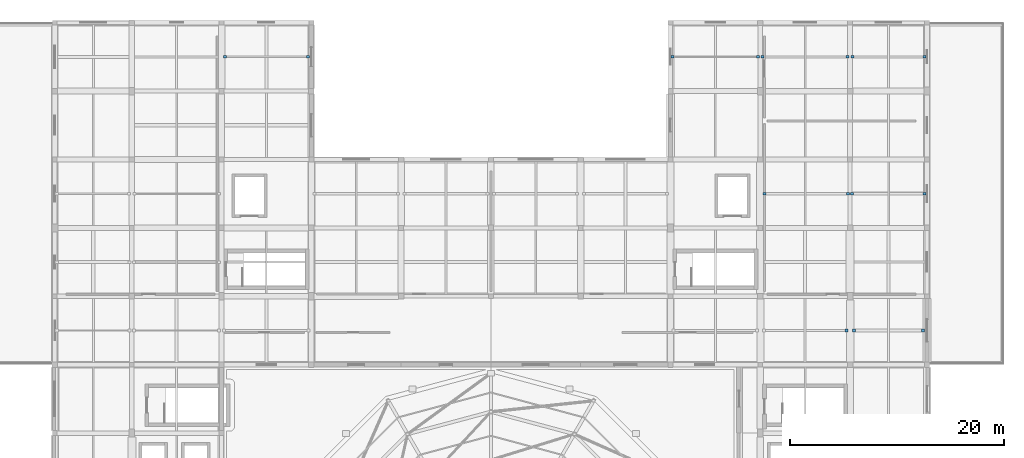
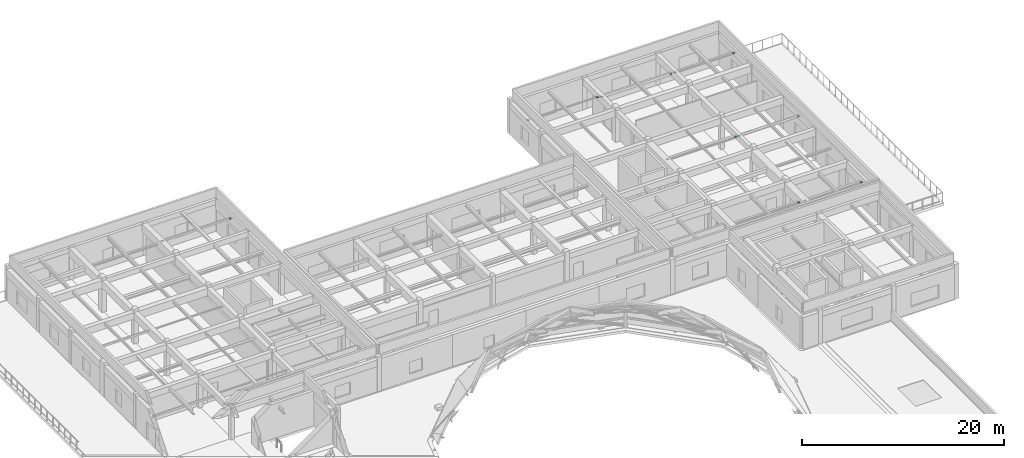
# One storey, part 17 of 18: 15 discrete accessories.
"""IFC4 building model written with IfcOpenShell, lengths in metres."""

from ifc_helpers import new_model, si_unit, direction, frame, origin, origin_2d, place, context, subcontext, project, spatial, rectangle, extrude, material, type_object, element, save


model = new_model("IFC4")

# Units and contexts
model_context = context("Model", 3, precision=1e-05, world=origin(), true_north=direction((0.0, 1.0)))
body_context = subcontext(model_context, "Body", "Model", "MODEL_VIEW")
ifc_project = project(units=[si_unit("LENGTHUNIT", "METRE"), si_unit("AREAUNIT", "SQUARE_METRE"), si_unit("VOLUMEUNIT", "CUBIC_METRE"), si_unit("PLANEANGLEUNIT", "RADIAN"), si_unit("MASSUNIT", "GRAM", prefix="KILO")], contexts=[model_context])

# Site, building, storey
site_placement = place(None, origin())
site = spatial("IfcSite", under=ifc_project, at=site_placement, CompositionType="ELEMENT")
building_placement = place(site_placement, origin())
building = spatial("IfcBuilding", under=site, at=building_placement, Name="Korsvaeld Concert Hall", CompositionType="ELEMENT")
storey_placement = place(building_placement, frame((0.0, 0.0, 17.39990234375)))
storey = spatial("IfcBuildingStorey", under=building, at=storey_placement, Name="L04", CompositionType="ELEMENT", Elevation=17.39990234375)

# Discrete accessories
ifc_material = material(Name="Steel S355J2", Category="steel")
discrete_accessory_type = type_object("IfcDiscreteAccessoryType", Name="ACC-GUSSET-S355", PredefinedType="BRACKET", material=ifc_material)
for number, where, z_axis, x_axis, name in (
    (1, (117.25, 86.39990234375, 3.277587890625), (0.0, 0.0, 1.0), (1.0, 0.0, 0.0), "Brace and strut S355J2 gusset end-plate 010"),
    (2, (117.949951171875, 86.39990234375, 3.217529296875), (0.0, 0.0, 1.0), (1.0, 0.0, 0.0), "Brace and strut S355J2 gusset end-plate 011"),
    (3, (124.425048828125, 86.39990234375, 3.217529296875), (0.0, 0.0, 1.0), (1.0, 0.0, 0.0), "Brace and strut S355J2 gusset end-plate 012"),
    (4, (109.574951171875, 99.199951171875, 3.417724609375), (0.0, 0.0, 1.0), (1.0, 0.0, 0.0), "Brace and strut S355J2 gusset end-plate 029"),
    (5, (117.39990234375, 99.199951171875, 3.417724609375), (0.0, 0.0, 1.0), (1.0, 0.0, 0.0), "Brace and strut S355J2 gusset end-plate 030"),
    (6, (117.800048828125, 99.199951171875, 3.381103515625), (0.0, 0.0, 1.0), (1.0, 0.0, 0.0), "Brace and strut S355J2 gusset end-plate 031"),
    (7, (124.574951171875, 99.199951171875, 3.381103515625), (0.0, 0.0, 1.0), (1.0, 0.0, 0.0), "Brace and strut S355J2 gusset end-plate 032"),
    (8, (59.10009765625, 112.0, 3.417724609375), (0.0, 0.0, 1.0), (1.0, 0.0, 0.0), "Brace and strut S355J2 gusset end-plate 033"),
    (9, (66.89990234375, 112.0, 3.417724609375), (0.0, 0.0, 1.0), (1.0, 0.0, 0.0), "Brace and strut S355J2 gusset end-plate 034"),
    (10, (101.0, 112.0, 3.397705078125), (0.0, 0.0, 1.0), (1.0, 0.0, 0.0), "Brace and strut S355J2 gusset end-plate 035"),
    (11, (108.97509765625, 112.0, 3.397705078125), (0.0, 0.0, 1.0), (1.0, 0.0, 0.0), "Brace and strut S355J2 gusset end-plate 036"),
    (12, (109.425048828125, 112.0, 3.277587890625), (0.0, 0.0, 1.0), (1.0, 0.0, 0.0), "Brace and strut S355J2 gusset end-plate 037"),
    (13, (117.375, 112.0, 3.277587890625), (0.0, 0.0, 1.0), (1.0, 0.0, 0.0), "Brace and strut S355J2 gusset end-plate 038"),
    (14, (117.824951171875, 112.0, 3.28759765625), (0.0, 0.0, 1.0), (1.0, 0.0, 0.0), "Brace and strut S355J2 gusset end-plate 039"),
    (15, (124.550048828125, 112.0, 3.28759765625), (0.0, 0.0, 1.0), (1.0, 0.0, 0.0), "Brace and strut S355J2 gusset end-plate 040"),
):
    element("IfcDiscreteAccessory", number, at=place(storey_placement, frame(where, z_axis=z_axis, x_axis=x_axis)), inside=storey, type_object=discrete_accessory_type, Name=name, PredefinedType="BRACKET", context=body_context, shape_type="SweptSolid", body=[
        extrude(rectangle(XDim=0.280029296875, YDim=0.25, at=origin_2d()), origin(), (0.0, 0.0, 1.0), 0.02490234375),
    ])

save(model, "model.ifc")
